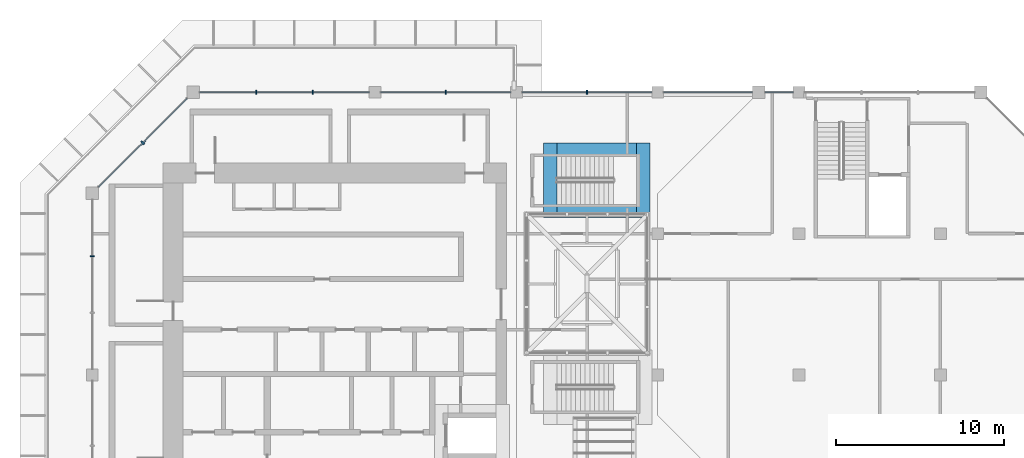
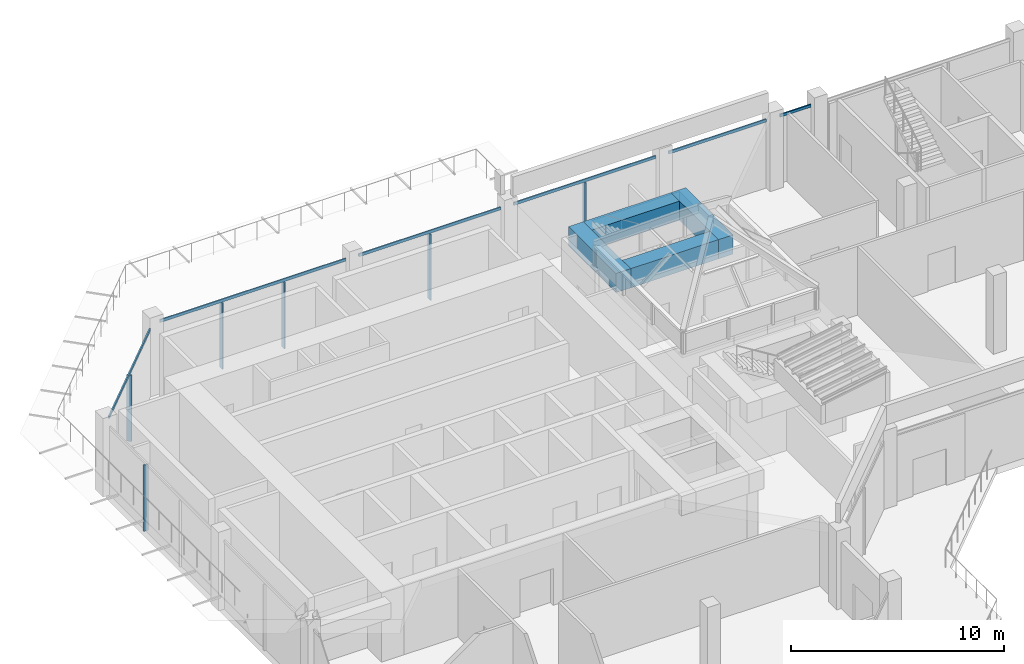
# One storey, part 4 of 15: 12 members, 4 beams, 3 elements without a shape of their own.
"""IFC4 building model written with IfcOpenShell, lengths in metres."""

from ifc_helpers import new_model, si_unit, direction, frame, origin, origin_2d, place, context, subcontext, project, spatial, rectangle, extrude, material, layer, layer_set, material_profile, profile_set, type_object, element, aggregate, save


model = new_model("IFC4")

# Units and contexts
model_context = context("Model", 3, precision=1e-05, world=origin(), true_north=direction((0.0, 1.0)))
body_context = subcontext(model_context, "Body", "Model", "MODEL_VIEW")
ifc_project = project(units=[si_unit("LENGTHUNIT", "METRE"), si_unit("AREAUNIT", "SQUARE_METRE"), si_unit("VOLUMEUNIT", "CUBIC_METRE"), si_unit("PLANEANGLEUNIT", "RADIAN"), si_unit("MASSUNIT", "GRAM", prefix="KILO")], contexts=[model_context])

# Site, building, storey
site_placement = place(None, origin())
site = spatial("IfcSite", under=ifc_project, at=site_placement, CompositionType="ELEMENT")
building_placement = place(site_placement, origin())
building = spatial("IfcBuilding", under=site, at=building_placement, Name="Kawkab Arch Medical Tower", CompositionType="ELEMENT")
storey_placement = place(building_placement, frame((0.0, 0.0, 332.199951171875)))
storey = spatial("IfcBuildingStorey", under=building, at=storey_placement, Name="L77", CompositionType="ELEMENT", Elevation=332.199951171875)

# Curtain wall, member
ifc_material_1 = material(Name="Bronze anodised aluminium curtain wall frame", Category="aluminium")
ifc_layer = layer(ifc_material_1, 0.159912109375)
ifc_layer_set = layer_set([ifc_layer], Name="Bronze anodised aluminium curtain wall frame")
curtain_wall_type = type_object("IfcCurtainWallType", Name="CW6 helipad lobby and crown glazing", PredefinedType="NOTDEFINED", material=ifc_layer_set)
placement = place(storey_placement, origin())
curtain_wall_1 = element("IfcCurtainWall", 1, at=placement, inside=storey, type_object=curtain_wall_type, Name="CW6 Helipad lobby and crown glazing R01", PredefinedType="NOTDEFINED")
ifc_material_2 = material(Name="Bronze anodised aluminium curtain wall frame", Category="aluminium")
ifc_material_profile_1 = material_profile(ifc_material_2, rectangle(XDim=0.239990234375, YDim=0.070068359375, at=origin_2d()), Name="AL 70x240")
ifc_profile_set_1 = profile_set([ifc_material_profile_1], Name="Bronze anodised aluminium curtain wall frame")
member_type_1 = type_object("IfcMemberType", Name="CW6 mullion 70 x 240", PredefinedType="MULLION", material=ifc_profile_set_1)
member_1_placement = place(storey_placement, frame((3.0, -3.0, 0.0), z_axis=(0.0, 0.0, 1.0), x_axis=(0.707106781187, -0.707106781187, 0.0)))
member_1 = element("IfcMember", 2, at=member_1_placement, type_object=member_type_1, Name="CW6 mullion 1.1", PredefinedType="MULLION", context=body_context, shape_type="SweptSolid", body=[
    extrude(rectangle(XDim=0.239990234375, YDim=0.070068359375, at=origin_2d()), origin(), (0.0, 0.0, 1.0), 3.7900390625),
])

curtain_wall_2 = element("IfcCurtainWall", 3, at=placement, inside=storey, type_object=curtain_wall_type, Name="CW6 Helipad lobby and crown glazing R02", PredefinedType="NOTDEFINED")
member_2_placement = place(storey_placement, frame((0.0, -9.7333984375, 0.0), z_axis=(0.0, 0.0, 1.0), x_axis=(1.0, 0.0, 0.0)))
member_2 = element("IfcMember", 4, at=member_2_placement, type_object=member_type_1, Name="CW6 mullion 1.1", PredefinedType="MULLION", context=body_context, shape_type="SweptSolid", body=[
    extrude(rectangle(XDim=0.239990234375, YDim=0.070068359375, at=origin_2d()), origin(), (0.0, 0.0, 1.0), 3.7900390625),
])
aggregate(curtain_wall_2, [member_2])

# Curtain wall, members
curtain_wall_3 = element("IfcCurtainWall", 5, at=placement, inside=storey, type_object=curtain_wall_type, Name="CW6 Helipad lobby and crown glazing R15", PredefinedType="NOTDEFINED")
member_3_placement = place(storey_placement, frame((29.39990234375, 0.0, 0.0), z_axis=(0.0, 0.0, 1.0), x_axis=(0.0, -1.0, 0.0)))
member_3 = element("IfcMember", 6, at=member_3_placement, type_object=member_type_1, Name="CW6 mullion 4.1", PredefinedType="MULLION", context=body_context, shape_type="SweptSolid", body=[
    extrude(rectangle(XDim=0.239990234375, YDim=0.070068359375, at=origin_2d()), origin(), (0.0, 0.0, 1.0), 3.7900390625),
])
member_4_placement = place(storey_placement, frame((21.0, 0.0, 0.0), z_axis=(0.0, 0.0, 1.0), x_axis=(0.0, -1.0, 0.0)))
member_4 = element("IfcMember", 7, at=member_4_placement, type_object=member_type_1, Name="CW6 mullion 5.1", PredefinedType="MULLION", context=body_context, shape_type="SweptSolid", body=[
    extrude(rectangle(XDim=0.239990234375, YDim=0.070068359375, at=origin_2d()), origin(), (0.0, 0.0, 1.0), 3.7900390625),
])
member_5_placement = place(storey_placement, frame((13.091552734375, 0.0, 0.0), z_axis=(0.0, 0.0, 1.0), x_axis=(0.0, -1.0, 0.0)))
member_5 = element("IfcMember", 8, at=member_5_placement, type_object=member_type_1, Name="CW6 mullion 6.1", PredefinedType="MULLION", context=body_context, shape_type="SweptSolid", body=[
    extrude(rectangle(XDim=0.239990234375, YDim=0.070068359375, at=origin_2d()), origin(), (0.0, 0.0, 1.0), 3.7900390625),
])
member_6_placement = place(storey_placement, frame((9.7333984375, 0.0, 0.0), z_axis=(0.0, 0.0, 1.0), x_axis=(0.0, -1.0, 0.0)))
member_6 = element("IfcMember", 9, at=member_6_placement, type_object=member_type_1, Name="CW6 mullion 6.2", PredefinedType="MULLION", context=body_context, shape_type="SweptSolid", body=[
    extrude(rectangle(XDim=0.239990234375, YDim=0.070068359375, at=origin_2d()), origin(), (0.0, 0.0, 1.0), 3.7900390625),
])

# Member
ifc_material_3 = material(Name="Bronze anodised aluminium curtain wall frame", Category="aluminium")
ifc_material_profile_2 = material_profile(ifc_material_3, rectangle(XDim=0.070068359375, YDim=0.159912109375, at=origin_2d()), Name="AL 70x160")
ifc_profile_set_2 = profile_set([ifc_material_profile_2], Name="Bronze anodised aluminium curtain wall frame")
member_type_2 = type_object("IfcMemberType", Name="CW6 transom 160 x 70", PredefinedType="USERDEFINED", material=ifc_profile_set_2)
member_7_placement = place(storey_placement, frame((5.625, -0.375, 3.8701171875), z_axis=(-0.707106781187, -0.707106781187, 0.0), x_axis=(0.707106781187, -0.707106781187, 0.0)))
member_7 = element("IfcMember", 10, at=member_7_placement, type_object=member_type_2, Name="CW6 transom 1", ObjectType="TRANSOM", PredefinedType="USERDEFINED", context=body_context, shape_type="SweptSolid", body=[
    extrude(rectangle(XDim=0.070068359375, YDim=0.159912109375, at=origin_2d()), origin(), (0.0, 0.0, 1.0), 7.424560546875),
])

aggregate(curtain_wall_1, [member_7, member_1])

member_8_placement = place(storey_placement, frame((41.64990234375, 0.0, 3.8701171875), z_axis=(-1.0, 0.0, 0.0), x_axis=(0.0, -1.0, 0.0)))
member_8 = element("IfcMember", 11, at=member_8_placement, type_object=member_type_2, Name="CW6 transom 2", ObjectType="TRANSOM", PredefinedType="USERDEFINED", context=body_context, shape_type="SweptSolid", body=[
    extrude(rectangle(XDim=0.070068359375, YDim=0.159912109375, at=origin_2d()), origin(), (0.0, 0.0, 1.0), 1.6748046875),
])

member_9_placement = place(storey_placement, frame((39.22509765625, 0.0, 3.8701171875), z_axis=(-1.0, 0.0, 0.0), x_axis=(0.0, -1.0, 0.0)))
member_9 = element("IfcMember", 12, at=member_9_placement, type_object=member_type_2, Name="CW6 transom 3", ObjectType="TRANSOM", PredefinedType="USERDEFINED", context=body_context, shape_type="SweptSolid", body=[
    extrude(rectangle(XDim=0.070068359375, YDim=0.159912109375, at=origin_2d()), origin(), (0.0, 0.0, 1.0), 5.275146484375),
])

member_10_placement = place(storey_placement, frame((33.25, 0.0, 3.8701171875), z_axis=(-1.0, 0.0, 0.0), x_axis=(0.0, -1.0, 0.0)))
member_10 = element("IfcMember", 13, at=member_10_placement, type_object=member_type_2, Name="CW6 transom 4", ObjectType="TRANSOM", PredefinedType="USERDEFINED", context=body_context, shape_type="SweptSolid", body=[
    extrude(rectangle(XDim=0.070068359375, YDim=0.159912109375, at=origin_2d()), origin(), (0.0, 0.0, 1.0), 7.699951171875),
])

member_11_placement = place(storey_placement, frame((24.85009765625, 0.0, 3.8701171875), z_axis=(-1.0, 0.0, 0.0), x_axis=(0.0, -1.0, 0.0)))
member_11 = element("IfcMember", 14, at=member_11_placement, type_object=member_type_2, Name="CW6 transom 5", ObjectType="TRANSOM", PredefinedType="USERDEFINED", context=body_context, shape_type="SweptSolid", body=[
    extrude(rectangle(XDim=0.070068359375, YDim=0.159912109375, at=origin_2d()), origin(), (0.0, 0.0, 1.0), 7.7001953125),
])

member_12_placement = place(storey_placement, frame((16.449951171875, 0.0, 3.8701171875), z_axis=(-1.0, 0.0, 0.0), x_axis=(0.0, -1.0, 0.0)))
member_12 = element("IfcMember", 15, at=member_12_placement, type_object=member_type_2, Name="CW6 transom 6", ObjectType="TRANSOM", PredefinedType="USERDEFINED", context=body_context, shape_type="SweptSolid", body=[
    extrude(rectangle(XDim=0.070068359375, YDim=0.159912109375, at=origin_2d()), origin(), (0.0, 0.0, 1.0), 10.074951171875),
])

aggregate(curtain_wall_3, [member_8, member_9, member_10, member_3, member_11, member_4, member_12, member_5, member_6])

# Beams
ifc_material_4 = material(Name="Concrete C40/50", Category="concrete")
ifc_material_profile_3 = material_profile(ifc_material_4, rectangle(XDim=0.800048828125, YDim=1.10009765625, at=origin_2d()), Name="RC 800x1100")
ifc_profile_set_3 = profile_set([ifc_material_profile_3], Name="Concrete C40/50")
beam_type = type_object("IfcBeamType", Name="RC 800x1100 beam C40/50", PredefinedType="BEAM", material=ifc_profile_set_3)
for number, where, z_axis, x_axis, name in (
    (16, (27.199951171875, -7.449951171875, 3.400146484375), (0.0, 1.0, 0.0), (-1.0, 0.0, 0.0), "Deck trimmer beam 03W"),
    (17, (32.75, -7.449951171875, 3.400146484375), (0.0, 1.0, 0.0), (-1.0, 0.0, 0.0), "Deck trimmer beam 03E"),
):
    element("IfcBeam", number, at=place(storey_placement, frame(where, z_axis=z_axis, x_axis=x_axis)), inside=storey, type_object=beam_type, Name=name, PredefinedType="BEAM", context=body_context, shape_type="SweptSolid", body=[
        extrude(rectangle(XDim=0.800048828125, YDim=1.10009765625, at=origin_2d()), origin(), (0.0, 0.0, 1.0), 4.449951171875),
    ])
for number, where, z_axis, x_axis, name in (
    (18, (27.60009765625, -7.050048828125, 3.400146484375), (1.0, 0.0, 0.0), (0.0, 1.0, 0.0), "Deck trimmer beam 03S"),
    (19, (27.60009765625, -3.39990234375, 3.400146484375), (1.0, 0.0, 0.0), (0.0, 1.0, 0.0), "Deck trimmer beam 03N"),
):
    element("IfcBeam", number, at=place(storey_placement, frame(where, z_axis=z_axis, x_axis=x_axis)), inside=storey, type_object=beam_type, Name=name, PredefinedType="BEAM", context=body_context, shape_type="SweptSolid", body=[
        extrude(rectangle(XDim=0.800048828125, YDim=1.10009765625, at=origin_2d()), origin(), (0.0, 0.0, 1.0), 4.75),
    ])

save(model, "model.ifc")
